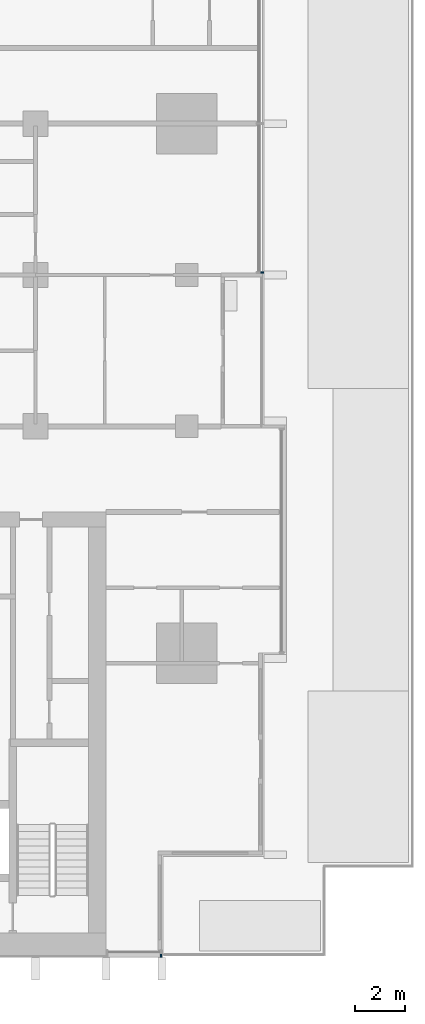
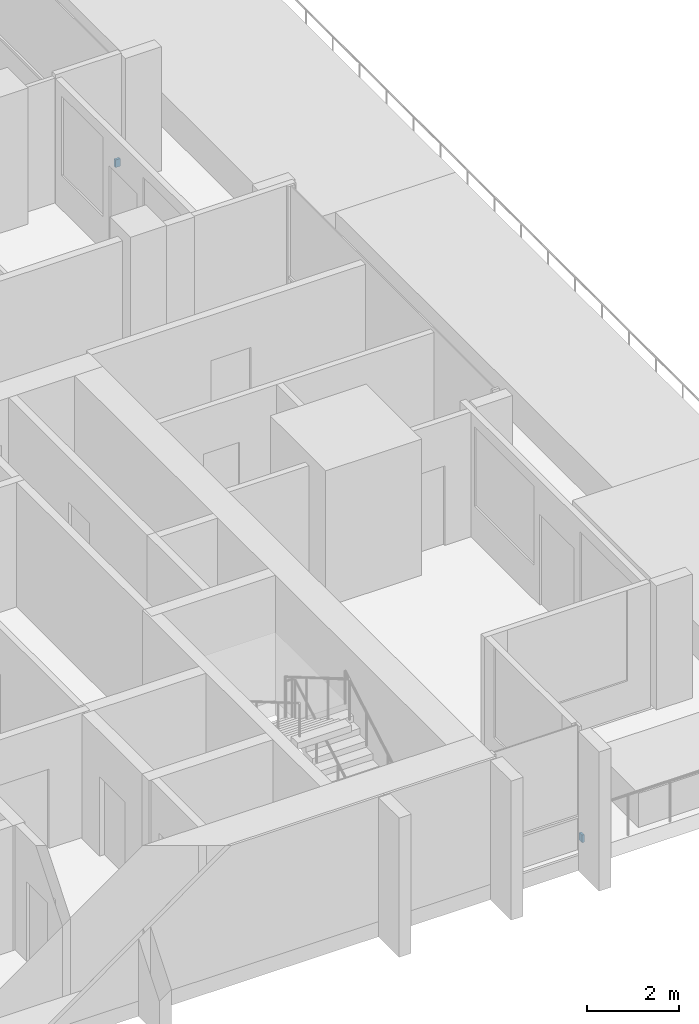
# One storey, part 14 of 18: 2 discrete accessories.
"""IFC4 building model written with IfcOpenShell, lengths in metres."""

from ifc_helpers import new_model, si_unit, direction, frame, origin, origin_2d, place, context, subcontext, project, spatial, rectangle, extrude, material, type_object, element, save


model = new_model("IFC4")

# Units and contexts
model_context = context("Model", 3, precision=1e-05, world=origin(), true_north=direction((0.0, 1.0)))
body_context = subcontext(model_context, "Body", "Model", "MODEL_VIEW")
ifc_project = project(units=[si_unit("LENGTHUNIT", "METRE"), si_unit("AREAUNIT", "SQUARE_METRE"), si_unit("VOLUMEUNIT", "CUBIC_METRE"), si_unit("PLANEANGLEUNIT", "RADIAN"), si_unit("MASSUNIT", "GRAM", prefix="KILO")], contexts=[model_context])

# Site, building, storey
site_placement = place(None, origin())
site = spatial("IfcSite", under=ifc_project, at=site_placement, CompositionType="ELEMENT")
building_placement = place(site_placement, origin())
building = spatial("IfcBuilding", under=site, at=building_placement, Name="Finial Court Residences", CompositionType="ELEMENT")
storey_placement = place(building_placement, frame((0.0, 0.0, 149.300048828125)))
storey = spatial("IfcBuildingStorey", under=building, at=storey_placement, Name="L36", CompositionType="ELEMENT", Elevation=149.300048828125)

# Discrete accessories
ifc_material = material(Name="Stainless steel 316", Category="steel")
discrete_accessory_type = type_object("IfcDiscreteAccessoryType", Name="Fin bracket, stainless steel 60 x 122 x 200", PredefinedType="BRACKET", material=ifc_material)
discrete_accessory_1_placement = place(storey_placement, frame((19.498779296875, 1.60498046875, 0.2998046875), z_axis=(0.0, 0.0, 1.0), x_axis=(1.0, 0.0, 0.0)))
element("IfcDiscreteAccessory", 1, at=discrete_accessory_1_placement, inside=storey, type_object=discrete_accessory_type, Name="E-L36-FIN-E10-BRK", PredefinedType="BRACKET", context=body_context, shape_type="SweptSolid", body=[
    extrude(rectangle(XDim=0.12255859375, YDim=0.06005859375, at=origin_2d()), origin(), (0.0, 0.0, 1.0), 0.199951171875),
])
discrete_accessory_2_placement = place(storey_placement, frame((15.469970703125, -25.498779296875, 0.2998046875), z_axis=(0.0, 0.0, 1.0), x_axis=(1.0, 0.0, 0.0)))
element("IfcDiscreteAccessory", 2, at=discrete_accessory_2_placement, inside=storey, type_object=discrete_accessory_type, Name="E-L36-FIN-S21-BRK", PredefinedType="BRACKET", context=body_context, shape_type="SweptSolid", body=[
    extrude(rectangle(XDim=0.06005859375, YDim=0.12255859375, at=origin_2d()), origin(), (0.0, 0.0, 1.0), 0.199951171875),
])

save(model, "model.ifc")
